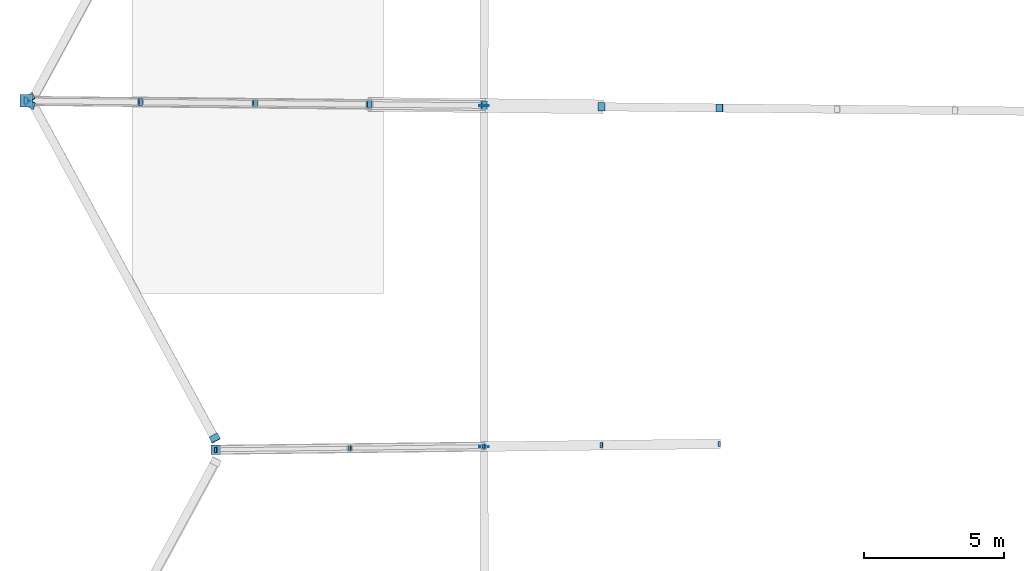
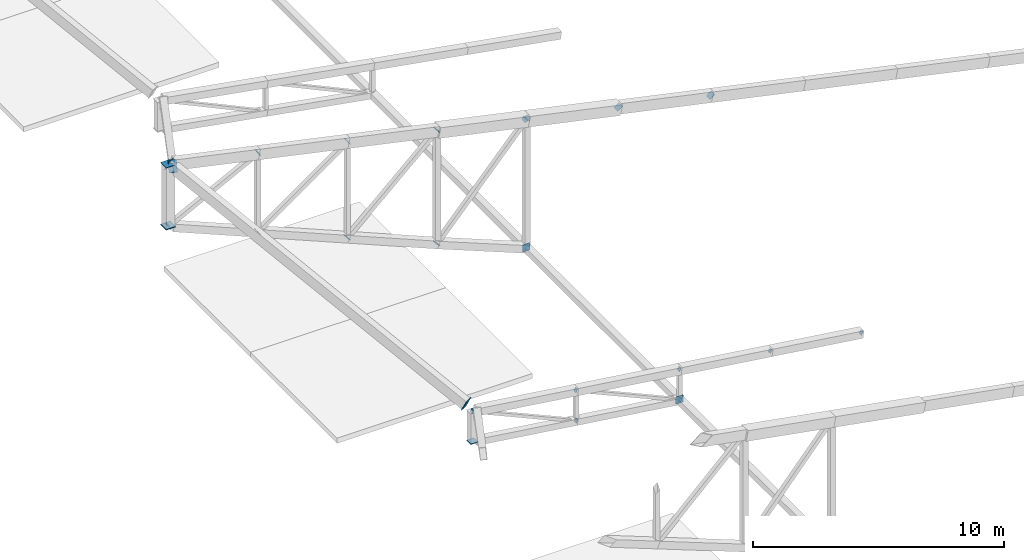
# One storey, part 137 of 188: 29 discrete accessories.
"""IFC4 building model written with IfcOpenShell, lengths in metres."""

from ifc_helpers import new_model, si_unit, direction, frame, origin, origin_2d, place, context, subcontext, project, spatial, rectangle, extrude, material, material_profile, profile_set, type_object, element, save


model = new_model("IFC4")

# Units and contexts
model_context = context("Model", 3, precision=1e-05, world=origin(), true_north=direction((0.0, 1.0)))
body_context = subcontext(model_context, "Body", "Model", "MODEL_VIEW")
ifc_project = project(units=[si_unit("LENGTHUNIT", "METRE"), si_unit("AREAUNIT", "SQUARE_METRE"), si_unit("VOLUMEUNIT", "CUBIC_METRE"), si_unit("PLANEANGLEUNIT", "RADIAN"), si_unit("MASSUNIT", "GRAM", prefix="KILO")], contexts=[model_context])

# Site, building, storey
site_placement = place(None, origin())
site = spatial("IfcSite", under=ifc_project, at=site_placement, CompositionType="ELEMENT")
building_placement = place(site_placement, origin())
building = spatial("IfcBuilding", under=site, at=building_placement, Name="Meseta Stadium", CompositionType="ELEMENT")
storey_placement = place(building_placement, frame((0.0, 0.0, 30.0)))
storey = spatial("IfcBuildingStorey", under=building, at=storey_placement, Name="ROOF", CompositionType="ELEMENT", Elevation=30.0)

# Discrete accessories
ifc_material_1 = material(Name="Steel S355", Category="steel")
ifc_material_profile_1 = material_profile(ifc_material_1, rectangle(XDim=0.179931640625, YDim=0.179931640625, at=origin_2d()), Name="PL 180x180")
ifc_profile_set_1 = profile_set([ifc_material_profile_1], Name="Steel S355")
discrete_accessory_type_1 = type_object("IfcDiscreteAccessoryType", Name="End plate 180x180x20", PredefinedType="ANCHORPLATE", material=ifc_profile_set_1)
for number, where, z_axis, x_axis, name in (
    (1, (-76.55322265625, -6.0380859375, 1.0517578125), (-0.896870870578, 0.0, 0.44229248412), (0.0, -1.0, 0.0), "End plate of ROOF TRUSS RT-33 diagonal"),
    (2, (-80.775146484375, -6.087646484375, 1.66455078125), (-0.896803189872, -0.012284975204, 0.442259107334), (0.013697345027, -0.999906186969, 0.0), "End plate of ROOF TRUSS RT-33 diagonal"),
):
    element("IfcDiscreteAccessory", number, at=place(storey_placement, frame(where, z_axis=z_axis, x_axis=x_axis)), inside=storey, type_object=discrete_accessory_type_1, Name=name, PredefinedType="ANCHORPLATE", context=body_context, shape_type="SweptSolid", body=[
        extrude(rectangle(XDim=0.179931640625, YDim=0.179931640625, at=origin_2d()), origin(), (0.0, 0.0, 1.0), 0.019775390625),
    ])
for number, where, z_axis, x_axis, name in (
    (3, (-84.9970703125, -6.13720703125, 2.27734375), (-0.891903506248, -0.01221785625, 0.452060681249), (0.013697345027, -0.999906186969, 0.0), "End plate of ROOF TRUSS RT-33 diagonal"),
    (4, (-84.978759765625, -6.136962890625, 0.791748046875), (-0.910714750365, -0.012142863338, 0.412857353499), (0.013332148306, -0.999911122961, 0.0), "End plate of ROOF TRUSS RT-33 diagonal"),
):
    element("IfcDiscreteAccessory", number, at=place(storey_placement, frame(where, z_axis=z_axis, x_axis=x_axis)), inside=storey, type_object=discrete_accessory_type_1, Name=name, PredefinedType="ANCHORPLATE", context=body_context, shape_type="SweptSolid", body=[
        extrude(rectangle(XDim=0.179931640625, YDim=0.179931640625, at=origin_2d()), origin(), (0.0, 0.0, 1.0), 0.02001953125),
    ])
discrete_accessory_1_placement = place(storey_placement, frame((-89.798583984375, -6.193603515625, 2.974365234375), z_axis=(-0.90860834471, -0.012278491145, 0.417468698921), x_axis=(0.013512279797, -0.99990870498, 0.0)))
element("IfcDiscreteAccessory", 5, at=discrete_accessory_1_placement, inside=storey, type_object=discrete_accessory_type_1, Name="End plate of ROOF TRUSS RT-33 diagonal", PredefinedType="ANCHORPLATE", context=body_context, shape_type="SweptSolid", body=[
    extrude(rectangle(XDim=0.179931640625, YDim=0.179931640625, at=origin_2d()), origin(), (0.0, 0.0, 1.0), 0.019775390625),
])
discrete_accessory_2_placement = place(storey_placement, frame((-89.7802734375, -6.193359375, 1.48876953125), z_axis=(-0.910714750365, -0.012142863338, 0.412857353499), x_axis=(0.013332148306, -0.999911122961, 0.0)))
element("IfcDiscreteAccessory", 6, at=discrete_accessory_2_placement, inside=storey, type_object=discrete_accessory_type_1, Name="End plate of ROOF TRUSS RT-33 diagonal", PredefinedType="ANCHORPLATE", context=body_context, shape_type="SweptSolid", body=[
    extrude(rectangle(XDim=0.179931640625, YDim=0.179931640625, at=origin_2d()), origin(), (0.0, 0.0, 1.0), 0.02001953125),
])
discrete_accessory_3_placement = place(storey_placement, frame((-94.60009765625, -6.25, 3.67138671875), z_axis=(-0.90860834471, -0.012278491145, 0.417468698921), x_axis=(0.013512279797, -0.99990870498, 0.0)))
element("IfcDiscreteAccessory", 7, at=discrete_accessory_3_placement, inside=storey, type_object=discrete_accessory_type_1, Name="End plate of ROOF TRUSS RT-33 diagonal", PredefinedType="ANCHORPLATE", context=body_context, shape_type="SweptSolid", body=[
    extrude(rectangle(XDim=0.179931640625, YDim=0.179931640625, at=origin_2d()), origin(), (0.0, 0.0, 1.0), 0.019775390625),
])
ifc_material_2 = material(Name="Steel S355", Category="steel")
ifc_material_profile_2 = material_profile(ifc_material_2, rectangle(XDim=0.239990234375, YDim=0.239990234375, at=origin_2d()), Name="PL 240x240")
ifc_profile_set_2 = profile_set([ifc_material_profile_2], Name="Steel S355")
discrete_accessory_type_2 = type_object("IfcDiscreteAccessoryType", Name="End plate 240x240x20", PredefinedType="ANCHORPLATE", material=ifc_profile_set_2)
discrete_accessory_4_placement = place(storey_placement, frame((-84.984375, 6.081298828125, 7.079833984375), z_axis=(-0.662838691033, 0.0, -0.748762225055), x_axis=(0.0, -1.0, 0.0)))
element("IfcDiscreteAccessory", 8, at=discrete_accessory_4_placement, inside=storey, type_object=discrete_accessory_type_2, Name="End plate of ROOF TRUSS RT-32 diagonal", PredefinedType="ANCHORPLATE", context=body_context, shape_type="SweptSolid", body=[
    extrude(rectangle(XDim=0.239990234375, YDim=0.239990234375, at=origin_2d()), origin(), (0.0, 0.0, 1.0), 0.019775390625),
])
for number, where, z_axis, x_axis, name in (
    (9, (-89.09814453125, 6.12353515625, 2.423828125), (-0.669587495153, 0.012174318094, -0.742633403715), (-0.018178813668, -0.999834751713, 0.0), "End plate of ROOF TRUSS RT-32 diagonal"),
    (10, (-89.08349609375, 6.123291015625, 7.9375), (-0.731001009493, 0.012183350158, -0.68226760886), (-0.016664352334, -0.99986114004, 0.0), "End plate of ROOF TRUSS RT-32 diagonal"),
):
    element("IfcDiscreteAccessory", number, at=place(storey_placement, frame(where, z_axis=z_axis, x_axis=x_axis)), inside=storey, type_object=discrete_accessory_type_2, Name=name, PredefinedType="ANCHORPLATE", context=body_context, shape_type="SweptSolid", body=[
        extrude(rectangle(XDim=0.239990234375, YDim=0.239990234375, at=origin_2d()), origin(), (0.0, 0.0, 1.0), 0.02001953125),
    ])
discrete_accessory_5_placement = place(storey_placement, frame((-93.19873046875, 6.165771484375, 4.1162109375), z_axis=(-0.737154140201, 0.0, -0.675724628517), x_axis=(0.0, -1.0, 0.0)))
element("IfcDiscreteAccessory", 11, at=discrete_accessory_5_placement, inside=storey, type_object=discrete_accessory_type_2, Name="End plate of ROOF TRUSS RT-32 diagonal", PredefinedType="ANCHORPLATE", context=body_context, shape_type="SweptSolid", body=[
    extrude(rectangle(XDim=0.239990234375, YDim=0.239990234375, at=origin_2d()), origin(), (0.0, 0.0, 1.0), 0.019775390625),
])
discrete_accessory_6_placement = place(storey_placement, frame((-93.1826171875, 6.16552734375, 8.794677734375), z_axis=(-0.808675375217, 0.0122526572, -0.588127545613), x_axis=(-0.015149776296, -0.999885235554, 0.0)))
element("IfcDiscreteAccessory", 12, at=discrete_accessory_6_placement, inside=storey, type_object=discrete_accessory_type_2, Name="End plate of ROOF TRUSS RT-32 diagonal", PredefinedType="ANCHORPLATE", context=body_context, shape_type="SweptSolid", body=[
    extrude(rectangle(XDim=0.239990234375, YDim=0.239990234375, at=origin_2d()), origin(), (0.0, 0.0, 1.0), 0.02001953125),
])
discrete_accessory_7_placement = place(storey_placement, frame((-97.29931640625, 6.207763671875, 5.808837890625), z_axis=(-0.807111764669, 0.012046444249, -0.590275768191), x_axis=(-0.014923710973, -0.999888635224, 0.0)))
element("IfcDiscreteAccessory", 13, at=discrete_accessory_7_placement, inside=storey, type_object=discrete_accessory_type_2, Name="End plate of ROOF TRUSS RT-32 diagonal", PredefinedType="ANCHORPLATE", context=body_context, shape_type="SweptSolid", body=[
    extrude(rectangle(XDim=0.239990234375, YDim=0.239990234375, at=origin_2d()), origin(), (0.0, 0.0, 1.0), 0.020263671875),
])
discrete_accessory_8_placement = place(storey_placement, frame((-97.28173828125, 6.207763671875, 9.6513671875), z_axis=(-0.884384752847, 0.0, -0.466758619558), x_axis=(0.0, -1.0, 0.0)))
element("IfcDiscreteAccessory", 14, at=discrete_accessory_8_placement, inside=storey, type_object=discrete_accessory_type_2, Name="End plate of ROOF TRUSS RT-32 diagonal", PredefinedType="ANCHORPLATE", context=body_context, shape_type="SweptSolid", body=[
    extrude(rectangle(XDim=0.239990234375, YDim=0.239990234375, at=origin_2d()), origin(), (0.0, 0.0, 1.0), 0.019775390625),
])
discrete_accessory_9_placement = place(storey_placement, frame((-101.39990234375, 6.25, 7.501220703125), z_axis=(-0.886952299427, 0.012150031499, -0.461701196962), x_axis=(-0.013697345027, -0.999906186969, 0.0)))
element("IfcDiscreteAccessory", 15, at=discrete_accessory_9_placement, inside=storey, type_object=discrete_accessory_type_2, Name="End plate of ROOF TRUSS RT-32 diagonal", PredefinedType="ANCHORPLATE", context=body_context, shape_type="SweptSolid", body=[
    extrude(rectangle(XDim=0.239990234375, YDim=0.239990234375, at=origin_2d()), origin(), (0.0, 0.0, 1.0), 0.02001953125),
])
ifc_material_3 = material(Name="Steel S355", Category="steel")
ifc_material_profile_3 = material_profile(ifc_material_3, rectangle(XDim=0.2900390625, YDim=0.2900390625, at=origin_2d()), Name="PL 290x290")
ifc_profile_set_3 = profile_set([ifc_material_profile_3], Name="Steel S355")
discrete_accessory_type_3 = type_object("IfcDiscreteAccessoryType", Name="End plate 290x290x20", PredefinedType="ANCHORPLATE", material=ifc_profile_set_3)
for number, where, z_axis, x_axis, name in (
    (16, (-76.5537109375, 5.99462890625, 5.2958984375), (-0.601963784982, 0.0, 0.798523388242), (0.0, -1.0, 0.0), "End plate of ROOF TRUSS RT-32 diagonal"),
    (17, (-80.775634765625, 6.0380859375, 6.180419921875), (-0.566006502692, 0.0, 0.824400775661), (0.0, -1.0, 0.0), "End plate of ROOF TRUSS RT-32 diagonal"),
):
    element("IfcDiscreteAccessory", number, at=place(storey_placement, frame(where, z_axis=z_axis, x_axis=x_axis)), inside=storey, type_object=discrete_accessory_type_3, Name=name, PredefinedType="ANCHORPLATE", context=body_context, shape_type="SweptSolid", body=[
        extrude(rectangle(XDim=0.2900390625, YDim=0.2900390625, at=origin_2d()), origin(), (0.0, 0.0, 1.0), 0.019775390625),
    ])
discrete_accessory_10_placement = place(storey_placement, frame((-84.99755859375, 6.081298828125, 7.06494140625), z_axis=(-0.537625803814, 0.012218768269, 0.843095010527), x_axis=(-0.022721405353, -0.999741835545, 0.0)))
element("IfcDiscreteAccessory", 18, at=discrete_accessory_10_placement, inside=storey, type_object=discrete_accessory_type_3, Name="End plate of ROOF TRUSS RT-32 diagonal", PredefinedType="ANCHORPLATE", context=body_context, shape_type="SweptSolid", body=[
    extrude(rectangle(XDim=0.2900390625, YDim=0.2900390625, at=origin_2d()), origin(), (0.0, 0.0, 1.0), 0.02001953125),
])
ifc_material_4 = material(Name="Steel S355", Category="steel")
ifc_material_profile_4 = material_profile(ifc_material_4, rectangle(XDim=0.340087890625, YDim=0.340087890625, at=origin_2d()), Name="PL 340x340")
ifc_profile_set_4 = profile_set([ifc_material_profile_4], Name="Steel S355")
discrete_accessory_type_4 = type_object("IfcDiscreteAccessoryType", Name="End plate 340x340x20", PredefinedType="ANCHORPLATE", material=ifc_profile_set_4)
for number, where, z_axis, x_axis, name in (
    (19, (-94.60009765625, -6.25, 2.19384765625), (0.0, 0.0, 1.0), (1.0, 0.0, 0.0), "End plate of ROOF RIM POST RT-33"),
    (20, (-84.99755859375, 6.081298828125, 0.800048828125), (0.0, -1.0, 0.0), (1.0, 0.0, 0.0), "End plate of ROOF PIVOT STRUT RT-31/32"),
    (21, (-84.99755859375, 6.101318359375, 0.800048828125), (0.0, -1.0, 0.0), (1.0, 0.0, 0.0), "End plate of ROOF PIVOT STRUT RT-32/33"),
    (22, (-84.9970703125, -6.13720703125, 0.800048828125), (0.0, -1.0, 0.0), (1.0, 0.0, 0.0), "End plate of ROOF PIVOT STRUT RT-32/33"),
    (23, (-84.9970703125, -6.1171875, 0.7998046875), (0.0, -0.999925647793, 0.012194215217), (1.0, 0.0, 0.0), "End plate of ROOF PIVOT STRUT RT-33/34"),
):
    element("IfcDiscreteAccessory", number, at=place(storey_placement, frame(where, z_axis=z_axis, x_axis=x_axis)), inside=storey, type_object=discrete_accessory_type_4, Name=name, PredefinedType="ANCHORPLATE", context=body_context, shape_type="SweptSolid", body=[
        extrude(rectangle(XDim=0.340087890625, YDim=0.340087890625, at=origin_2d()), origin(), (0.0, 0.0, 1.0), 0.02001953125),
    ])
ifc_material_5 = material(Name="Steel S355", Category="steel")
ifc_material_profile_5 = material_profile(ifc_material_5, rectangle(XDim=0.340087890625, YDim=0.5400390625, at=origin_2d()), Name="PL 340x540")
ifc_profile_set_5 = profile_set([ifc_material_profile_5], Name="Steel S355")
discrete_accessory_type_5 = type_object("IfcDiscreteAccessoryType", Name="End plate 340x540x20", PredefinedType="ANCHORPLATE", material=ifc_profile_set_5)
for number, where, z_axis, x_axis, name in (
    (24, (-101.24951171875, 6.1396484375, 10.414306640625), (-0.438307934267, -0.79138932576, 0.426132713871), (0.886194485265, -0.459694396046, 0.057796163615), "End plate of RIM RING BEAM 32"),
    (25, (-101.27880859375, 6.368408203125, 10.41650390625), (0.438307934267, -0.79138932576, -0.426132713871), (0.879481721877, 0.475439993908, 0.021649782387), "End plate of RIM RING BEAM 33"),
    (26, (-94.64697265625, -5.822509765625, 3.78466796875), (0.438307934267, -0.79138932576, -0.426132713871), (0.879481721877, 0.475439993908, 0.021649782387), "End plate of RIM RING BEAM 33"),
):
    element("IfcDiscreteAccessory", number, at=place(storey_placement, frame(where, z_axis=z_axis, x_axis=x_axis)), inside=storey, type_object=discrete_accessory_type_5, Name=name, PredefinedType="ANCHORPLATE", context=body_context, shape_type="SweptSolid", body=[
        extrude(rectangle(XDim=0.340087890625, YDim=0.5400390625, at=origin_2d()), origin(), (0.0, 0.0, 1.0), 0.02001953125),
    ])
ifc_material_6 = material(Name="Steel S355", Category="steel")
ifc_material_profile_6 = material_profile(ifc_material_6, rectangle(XDim=0.43994140625, YDim=0.43994140625, at=origin_2d()), Name="PL 440x440")
ifc_profile_set_6 = profile_set([ifc_material_profile_6], Name="Steel S355")
discrete_accessory_type_6 = type_object("IfcDiscreteAccessoryType", Name="End plate 440x440x20", PredefinedType="ANCHORPLATE", material=ifc_profile_set_6)
discrete_accessory_11_placement = place(storey_placement, frame((-101.39990234375, 6.25, 7.481201171875), z_axis=(0.0, 0.0, 1.0), x_axis=(1.0, 0.0, 0.0)))
element("IfcDiscreteAccessory", 27, at=discrete_accessory_11_placement, inside=storey, type_object=discrete_accessory_type_6, Name="End plate of ROOF TRUSS RT-32 post", PredefinedType="ANCHORPLATE", context=body_context, shape_type="SweptSolid", body=[
    extrude(rectangle(XDim=0.43994140625, YDim=0.43994140625, at=origin_2d()), origin(), (0.0, 0.0, 1.0), 0.02001953125),
])
for number, where, z_axis, x_axis, name in (
    (28, (-101.39990234375, 6.25, 10.501220703125), (0.0, 0.0, 1.0), (1.0, 0.0, 0.0), "End plate of ROOF TRUSS RT-32 post"),
    (29, (-101.39990234375, 6.25, 7.501220703125), (0.0, 0.0, 1.0), (1.0, 0.0, 0.0), "End plate of ROOF RIM POST RT-32"),
):
    element("IfcDiscreteAccessory", number, at=place(storey_placement, frame(where, z_axis=z_axis, x_axis=x_axis)), inside=storey, type_object=discrete_accessory_type_6, Name=name, PredefinedType="ANCHORPLATE", context=body_context, shape_type="SweptSolid", body=[
        extrude(rectangle(XDim=0.43994140625, YDim=0.43994140625, at=origin_2d()), origin(), (0.0, 0.0, 1.0), 0.019775390625),
    ])

save(model, "model.ifc")
